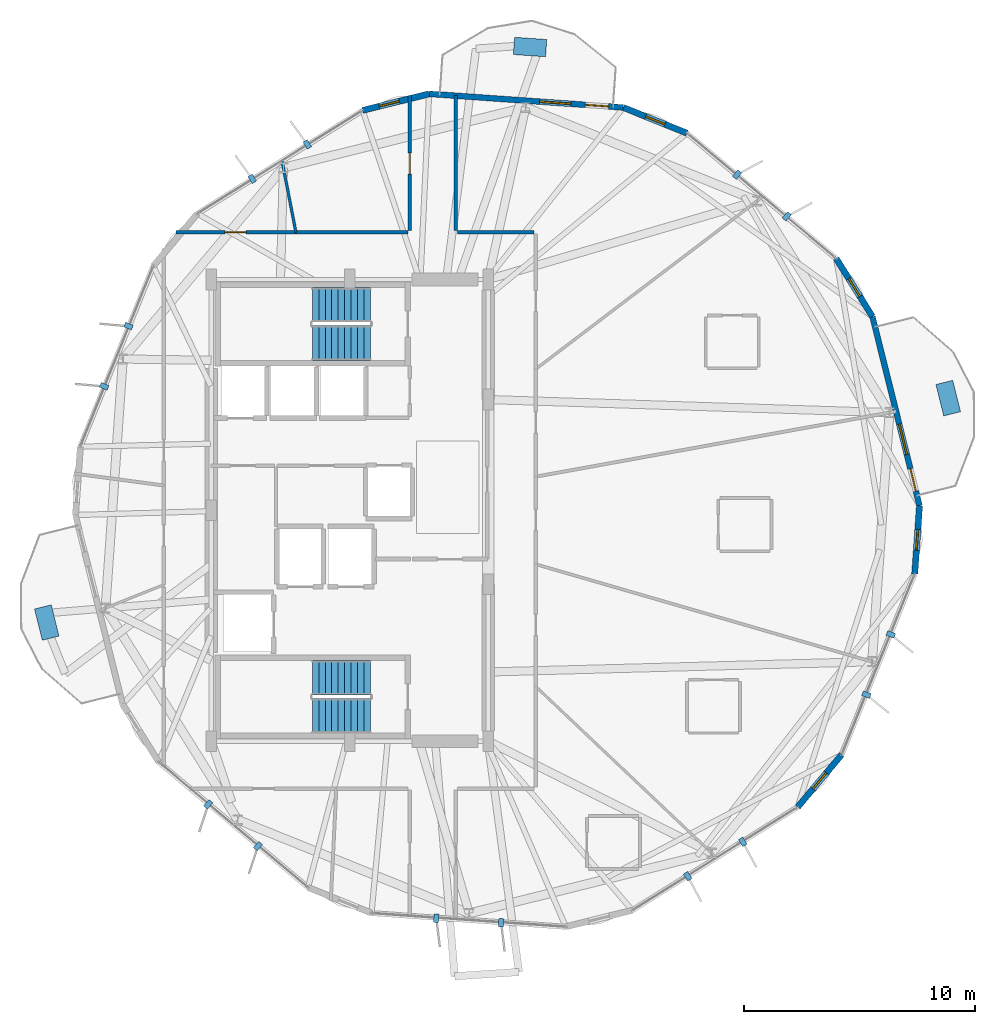
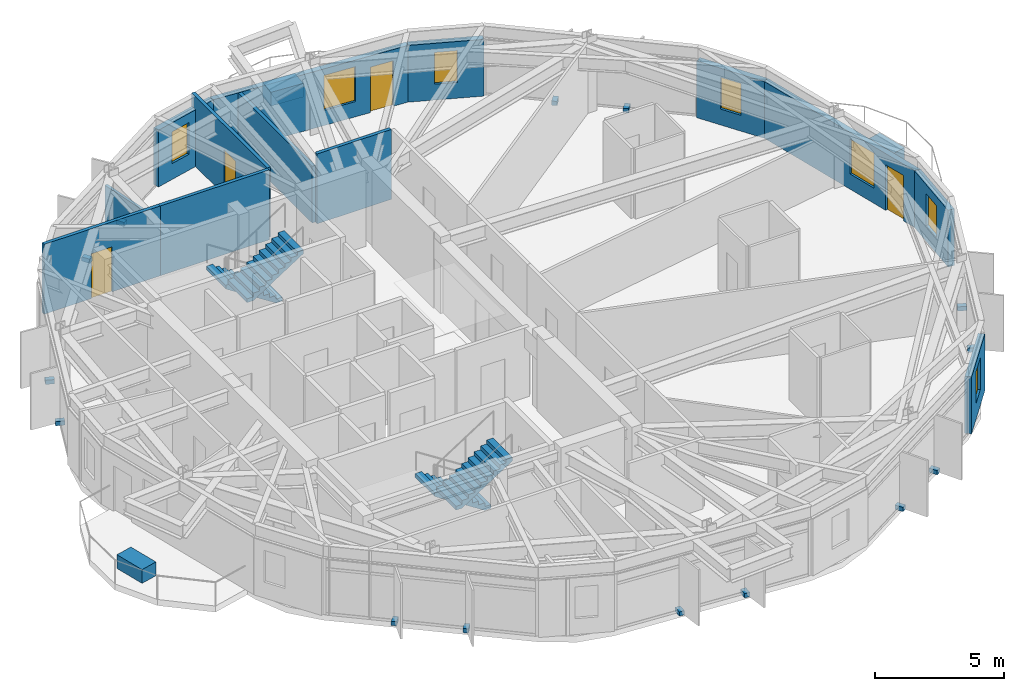
# One storey, part 18 of 22: 17 discrete accessories, 13 walls, 7 windows, 4 doors, 4 stair flights, 11 openings, 2 elements without a shape of their own.
"""IFC4 building model written with IfcOpenShell, lengths in metres."""

from ifc_helpers import new_model, si_unit, direction, frame, frame_2d, origin, origin_2d, place, context, subcontext, project, spatial, polyline, rectangle, outline, extrude, material, layer, layer_set, type_object, element, fill, aggregate, save


model = new_model("IFC4")

# Units and contexts
model_context = context("Model", 3, precision=1e-05, world=origin(), true_north=direction((0.0, 1.0)))
body_context = subcontext(model_context, "Body", "Model", "MODEL_VIEW")
ifc_project = project(units=[si_unit("LENGTHUNIT", "METRE"), si_unit("AREAUNIT", "SQUARE_METRE"), si_unit("VOLUMEUNIT", "CUBIC_METRE"), si_unit("PLANEANGLEUNIT", "RADIAN"), si_unit("MASSUNIT", "GRAM", prefix="KILO")], contexts=[model_context])

# Site, building, storey
site_placement = place(None, origin())
site = spatial("IfcSite", under=ifc_project, at=site_placement, CompositionType="ELEMENT")
building_placement = place(site_placement, origin())
building = spatial("IfcBuilding", under=site, at=building_placement, Name="Soratama Intermodal Tower", CompositionType="ELEMENT")
storey_placement = place(building_placement, frame((0.0, 0.0, 157.0)))
storey = spatial("IfcBuildingStorey", under=building, at=storey_placement, Name="L38", CompositionType="ELEMENT", Elevation=157.0)

# Wall, openings, door, window
ifc_material_1 = material(Name="Concrete f'c 42 MPa", Category="concrete")
ifc_layer_1 = layer(ifc_material_1, 0.25)
ifc_layer_set_1 = layer_set([ifc_layer_1], Name="Concrete f'c 42 MPa")
wall_type_1 = type_object("IfcWallType", Name="EW-BAL-250", PredefinedType="SOLIDWALL", material=ifc_layer_set_1)
wall_1_placement = place(storey_placement, frame((50.456787109375, 42.44873046875, 0.0), z_axis=(0.0, 0.0, 1.0), x_axis=(-0.997538958877, 0.070114374585, 0.0)))
wall_1 = element("IfcWall", 1, at=wall_1_placement, inside=storey, type_object=wall_type_1, Name="L38 Terrace Wall F02", PredefinedType="SOLIDWALL", context=body_context, shape_type="SweptSolid", body=[
    extrude(rectangle(XDim=8.4404296875, YDim=0.25, at=frame_2d((4.22021484375, 0.0))), origin(), (0.0, 0.0, 1.0), 2.678955078125),
])
opening_1_placement = place(wall_1_placement, frame((0.64990234375, 0.0, 0.0)))
opening_1 = element("IfcOpeningElement", 2, at=opening_1_placement, cuts=wall_1, Name="Opening ED-2", PredefinedType="OPENING", context=body_context, shape_type="SweptSolid", body=[
    extrude(rectangle(XDim=1.0, YDim=2.14990234375, at=frame_2d((0.5, 1.074951171875))), frame((0.0, 0.135009765625, 0.0), z_axis=(0.0, -1.0, 0.0), x_axis=(1.0, 0.0, 0.0)), (0.0, 0.0, 1.0), 0.27001953125),
])
opening_2_placement = place(wall_1_placement, frame((2.2900390625, 0.0, 0.719970703125)))
opening_2 = element("IfcOpeningElement", 3, at=opening_2_placement, cuts=wall_1, Name="Opening WN-4", PredefinedType="OPENING", context=body_context, shape_type="SweptSolid", body=[
    extrude(rectangle(XDim=1.35009765625, YDim=1.64990234375, at=frame_2d((0.675048828125, 0.824951171875))), frame((0.0, 0.135009765625, 0.0), z_axis=(0.0, -1.0, 0.0), x_axis=(1.0, 0.0, 0.0)), (0.0, 0.0, 1.0), 0.27001953125),
])
ifc_material_2 = material(Name="Double-glazed aluminium door", Category="aluminium")
door_type_1 = type_object("IfcDoorType", Name="DR-BAL-1000", OperationType="NOTDEFINED", PredefinedType="DOOR", material=ifc_material_2)
door_1_placement = place(opening_1_placement, origin())
door_1 = element("IfcDoor", 4, at=door_1_placement, inside=storey, type_object=door_type_1, Name="L38 Balcony Door F02", OperationType="SINGLE_SWING_RIGHT", OverallHeight=2.14990234375, OverallWidth=1.0, PredefinedType="DOOR", context=body_context, shape_type="SweptSolid", body=[
    extrude(rectangle(XDim=1.0, YDim=2.14990234375, at=frame_2d((0.5, 1.074951171875))), frame((0.0, 0.02490234375, 0.0), z_axis=(0.0, -1.0, 0.0), x_axis=(1.0, 0.0, 0.0)), (0.0, 0.0, 1.0), 0.050048828125),
])
fill(opening_1, door_1)
ifc_material_3 = material(Name="Double-glazed aluminium window", Category="aluminium")
window_type_1 = type_object("IfcWindowType", Name="WN-FAC-1350", PartitioningType="SINGLE_PANEL", PredefinedType="WINDOW", material=ifc_material_3)
window_1_placement = place(opening_2_placement, origin())
window_1 = element("IfcWindow", 5, at=window_1_placement, inside=storey, type_object=window_type_1, Name="L38 Window B F02", OverallHeight=1.64990234375, OverallWidth=1.35009765625, PartitioningType="SINGLE_PANEL", PredefinedType="WINDOW", context=body_context, shape_type="SweptSolid", body=[
    extrude(rectangle(XDim=1.35009765625, YDim=1.64990234375, at=frame_2d((0.675048828125, 0.824951171875))), frame((0.0, 0.030029296875, 0.0), z_axis=(0.0, -1.0, 0.0), x_axis=(1.0, 0.0, 0.0)), (0.0, 0.0, 1.0), 0.06005859375),
])
fill(opening_2, window_1)

wall_2_placement = place(storey_placement, frame((63.281005859375, 25.2021484375, 0.0), z_axis=(0.0, 0.0, 1.0), x_axis=(-0.241582680268, 0.970380239182, 0.0)))
wall_2 = element("IfcWall", 6, at=wall_2_placement, inside=storey, type_object=wall_type_1, Name="L38 Terrace Wall F10", PredefinedType="SOLIDWALL", context=body_context, shape_type="SweptSolid", body=[
    extrude(rectangle(XDim=8.4404296875, YDim=0.25, at=frame_2d((4.22021484375, 0.0))), origin(), (0.0, 0.0, 1.0), 2.678955078125),
])
opening_3_placement = place(wall_2_placement, frame((0.64990234375, 0.0, 0.0)))
opening_3 = element("IfcOpeningElement", 7, at=opening_3_placement, cuts=wall_2, Name="Opening ED-2", PredefinedType="OPENING", context=body_context, shape_type="SweptSolid", body=[
    extrude(rectangle(XDim=1.0, YDim=2.14990234375, at=frame_2d((0.5, 1.074951171875))), frame((0.0, 0.135009765625, 0.0), z_axis=(0.0, -1.0, 0.0), x_axis=(1.0, 0.0, 0.0)), (0.0, 0.0, 1.0), 0.27001953125),
])
opening_4_placement = place(wall_2_placement, frame((2.2900390625, 0.0, 0.719970703125)))
opening_4 = element("IfcOpeningElement", 8, at=opening_4_placement, cuts=wall_2, Name="Opening WN-4", PredefinedType="OPENING", context=body_context, shape_type="SweptSolid", body=[
    extrude(rectangle(XDim=1.35009765625, YDim=1.64990234375, at=frame_2d((0.675048828125, 0.824951171875))), frame((0.0, 0.135009765625, 0.0), z_axis=(0.0, -1.0, 0.0), x_axis=(1.0, 0.0, 0.0)), (0.0, 0.0, 1.0), 0.27001953125),
])
door_2_placement = place(opening_3_placement, origin())
door_2 = element("IfcDoor", 9, at=door_2_placement, inside=storey, type_object=door_type_1, Name="L38 Balcony Door F10", OperationType="SINGLE_SWING_RIGHT", OverallHeight=2.14990234375, OverallWidth=1.0, PredefinedType="DOOR", context=body_context, shape_type="SweptSolid", body=[
    extrude(rectangle(XDim=1.0, YDim=2.14990234375, at=frame_2d((0.5, 1.074951171875))), frame((0.0, 0.02490234375, 0.0), z_axis=(0.0, -1.0, 0.0), x_axis=(1.0, 0.0, 0.0)), (0.0, 0.0, 1.0), 0.050048828125),
])
fill(opening_3, door_2)
window_2_placement = place(opening_4_placement, origin())
window_2 = element("IfcWindow", 10, at=window_2_placement, inside=storey, type_object=window_type_1, Name="L38 Window B F10", OverallHeight=1.64990234375, OverallWidth=1.35009765625, PartitioningType="SINGLE_PANEL", PredefinedType="WINDOW", context=body_context, shape_type="SweptSolid", body=[
    extrude(rectangle(XDim=1.35009765625, YDim=1.64990234375, at=frame_2d((0.675048828125, 0.824951171875))), frame((0.0, 0.030029296875, 0.0), z_axis=(0.0, -1.0, 0.0), x_axis=(1.0, 0.0, 0.0)), (0.0, 0.0, 1.0), 0.06005859375),
])
fill(opening_4, window_2)

# Wall, opening, window
ifc_material_4 = material(Name="Concrete f'c 42 MPa", Category="concrete")
ifc_layer_2 = layer(ifc_material_4, 0.27001953125)
ifc_layer_set_2 = layer_set([ifc_layer_2], Name="Concrete f'c 42 MPa")
wall_type_2 = type_object("IfcWallType", Name="EW-CRN-270", PredefinedType="SOLIDWALL", material=ifc_layer_set_2)
wall_3_placement = place(storey_placement, frame((53.20703125, 41.336669921875, 0.0), z_axis=(0.0, 0.0, 1.0), x_axis=(-0.927079641451, 0.374864426703, 0.0)))
wall_3 = element("IfcWall", 11, at=wall_3_placement, inside=storey, type_object=wall_type_2, Name="L38 Corner Closure Wall 01", PredefinedType="SOLIDWALL", context=body_context, shape_type="SweptSolid", body=[
    extrude(rectangle(XDim=2.966552734375, YDim=0.27001953125, at=frame_2d((1.4833984375, 0.0))), origin(), (0.0, 0.0, 1.0), 2.678955078125),
])
opening_5_placement = place(wall_3_placement, frame((1.033203125, 0.0, 0.75)))
opening_5 = element("IfcOpeningElement", 12, at=opening_5_placement, cuts=wall_3, Name="Opening WN-6", PredefinedType="OPENING", context=body_context, shape_type="SweptSolid", body=[
    extrude(rectangle(XDim=0.89990234375, YDim=1.5, at=frame_2d((0.449951171875, 0.75))), frame((0.0, 0.14501953125, 0.0), z_axis=(0.0, -1.0, 0.0), x_axis=(1.0, 0.0, 0.0)), (0.0, 0.0, 1.0), 0.2900390625),
])
ifc_material_5 = material(Name="Double-glazed aluminium window", Category="aluminium")
window_type_2 = type_object("IfcWindowType", Name="WN-FAC-900", PartitioningType="SINGLE_PANEL", PredefinedType="WINDOW", material=ifc_material_5)
window_3_placement = place(opening_5_placement, origin())
window_3 = element("IfcWindow", 13, at=window_3_placement, inside=storey, type_object=window_type_2, Name="L38 Corner Window 01", OverallHeight=1.5, OverallWidth=0.89990234375, PartitioningType="SINGLE_PANEL", PredefinedType="WINDOW", context=body_context, shape_type="SweptSolid", body=[
    extrude(rectangle(XDim=0.89990234375, YDim=1.5, at=frame_2d((0.449951171875, 0.75))), frame((0.0, 0.030029296875, 0.0), z_axis=(0.0, -1.0, 0.0), x_axis=(1.0, 0.0, 0.0)), (0.0, 0.0, 1.0), 0.06005859375),
])
fill(opening_5, window_3)

wall_4_placement = place(storey_placement, frame((42.037109375, 43.04052734375, 0.0), z_axis=(0.0, 0.0, 1.0), x_axis=(-0.970388894823, -0.241547909957, 0.0)))
wall_4 = element("IfcWall", 14, at=wall_4_placement, inside=storey, type_object=wall_type_2, Name="L38 Corner Closure Wall 02", PredefinedType="SOLIDWALL", context=body_context, shape_type="SweptSolid", body=[
    extrude(rectangle(XDim=2.966552734375, YDim=0.27001953125, at=frame_2d((1.4833984375, 0.0))), origin(), (0.0, 0.0, 1.0), 2.678955078125),
])
opening_6_placement = place(wall_4_placement, frame((1.324951171875, 0.0, 0.75)))
opening_6 = element("IfcOpeningElement", 15, at=opening_6_placement, cuts=wall_4, Name="Opening WN-6", PredefinedType="OPENING", context=body_context, shape_type="SweptSolid", body=[
    extrude(rectangle(XDim=0.89990234375, YDim=1.5, at=frame_2d((0.449951171875, 0.75))), frame((0.0, 0.14501953125, 0.0), z_axis=(0.0, -1.0, 0.0), x_axis=(1.0, 0.0, 0.0)), (0.0, 0.0, 1.0), 0.2900390625),
])
window_4_placement = place(opening_6_placement, origin())
window_4 = element("IfcWindow", 16, at=window_4_placement, inside=storey, type_object=window_type_2, Name="L38 Corner Window 02", OverallHeight=1.5, OverallWidth=0.89990234375, PartitioningType="SINGLE_PANEL", PredefinedType="WINDOW", context=body_context, shape_type="SweptSolid", body=[
    extrude(rectangle(XDim=0.89990234375, YDim=1.5, at=frame_2d((0.449951171875, 0.75))), frame((0.0, 0.030029296875, 0.0), z_axis=(0.0, -1.0, 0.0), x_axis=(1.0, 0.0, 0.0)), (0.0, 0.0, 1.0), 0.06005859375),
])
fill(opening_6, window_4)

wall_5_placement = place(storey_placement, frame((58.0009765625, 12.146484375, 0.0), z_axis=(0.0, 0.0, 1.0), x_axis=(0.643085925087, 0.765794027762, 0.0)))
wall_5 = element("IfcWall", 17, at=wall_5_placement, inside=storey, type_object=wall_type_2, Name="L38 Corner Closure Wall 08", PredefinedType="SOLIDWALL", context=body_context, shape_type="SweptSolid", body=[
    extrude(rectangle(XDim=2.966552734375, YDim=0.27001953125, at=frame_2d((1.4833984375, 0.0))), origin(), (0.0, 0.0, 1.0), 2.678955078125),
])
opening_7_placement = place(wall_5_placement, frame((1.033203125, 0.0, 0.75)))
opening_7 = element("IfcOpeningElement", 18, at=opening_7_placement, cuts=wall_5, Name="Opening WN-6", PredefinedType="OPENING", context=body_context, shape_type="SweptSolid", body=[
    extrude(rectangle(XDim=0.89990234375, YDim=1.5, at=frame_2d((0.449951171875, 0.75))), frame((0.0, 0.14501953125, 0.0), z_axis=(0.0, -1.0, 0.0), x_axis=(1.0, 0.0, 0.0)), (0.0, 0.0, 1.0), 0.2900390625),
])
window_5_placement = place(opening_7_placement, origin())
window_5 = element("IfcWindow", 19, at=window_5_placement, inside=storey, type_object=window_type_2, Name="L38 Corner Window 08", OverallHeight=1.5, OverallWidth=0.89990234375, PartitioningType="SINGLE_PANEL", PredefinedType="WINDOW", context=body_context, shape_type="SweptSolid", body=[
    extrude(rectangle(XDim=0.89990234375, YDim=1.5, at=frame_2d((0.449951171875, 0.75))), frame((0.0, 0.030029296875, 0.0), z_axis=(0.0, -1.0, 0.0), x_axis=(1.0, 0.0, 0.0)), (0.0, 0.0, 1.0), 0.06005859375),
])
fill(opening_7, window_5)

wall_6_placement = place(storey_placement, frame((63.072998046875, 22.242919921875, 0.0), z_axis=(0.0, 0.0, 1.0), x_axis=(0.070118221482, 0.997538688481, 0.0)))
wall_6 = element("IfcWall", 20, at=wall_6_placement, inside=storey, type_object=wall_type_2, Name="L38 Corner Closure Wall 09", PredefinedType="SOLIDWALL", context=body_context, shape_type="SweptSolid", body=[
    extrude(rectangle(XDim=2.966552734375, YDim=0.27001953125, at=frame_2d((1.4833984375, 0.0))), origin(), (0.0, 0.0, 1.0), 2.678955078125),
])
opening_8_placement = place(wall_6_placement, frame((1.033203125, 0.0, 0.75)))
opening_8 = element("IfcOpeningElement", 21, at=opening_8_placement, cuts=wall_6, Name="Opening WN-6", PredefinedType="OPENING", context=body_context, shape_type="SweptSolid", body=[
    extrude(rectangle(XDim=0.89990234375, YDim=1.5, at=frame_2d((0.449951171875, 0.75))), frame((0.0, 0.14501953125, 0.0), z_axis=(0.0, -1.0, 0.0), x_axis=(1.0, 0.0, 0.0)), (0.0, 0.0, 1.0), 0.2900390625),
])
window_6_placement = place(opening_8_placement, origin())
window_6 = element("IfcWindow", 22, at=window_6_placement, inside=storey, type_object=window_type_2, Name="L38 Corner Window 09", OverallHeight=1.5, OverallWidth=0.89990234375, PartitioningType="SINGLE_PANEL", PredefinedType="WINDOW", context=body_context, shape_type="SweptSolid", body=[
    extrude(rectangle(XDim=0.89990234375, YDim=1.5, at=frame_2d((0.449951171875, 0.75))), frame((0.0, 0.030029296875, 0.0), z_axis=(0.0, -1.0, 0.0), x_axis=(1.0, 0.0, 0.0)), (0.0, 0.0, 1.0), 0.06005859375),
])
fill(opening_8, window_6)

wall_7_placement = place(storey_placement, frame((61.241943359375, 33.392578125, 0.0), z_axis=(0.0, 0.0, 1.0), x_axis=(-0.529592009117, 0.848252500073, 0.0)))
wall_7 = element("IfcWall", 23, at=wall_7_placement, inside=storey, type_object=wall_type_2, Name="L38 Corner Closure Wall 10", PredefinedType="SOLIDWALL", context=body_context, shape_type="SweptSolid", body=[
    extrude(rectangle(XDim=2.966552734375, YDim=0.27001953125, at=frame_2d((1.4833984375, 0.0))), origin(), (0.0, 0.0, 1.0), 2.678955078125),
])
opening_9_placement = place(wall_7_placement, frame((1.033203125, 0.0, 0.75)))
opening_9 = element("IfcOpeningElement", 24, at=opening_9_placement, cuts=wall_7, Name="Opening WN-6", PredefinedType="OPENING", context=body_context, shape_type="SweptSolid", body=[
    extrude(rectangle(XDim=0.89990234375, YDim=1.5, at=frame_2d((0.449951171875, 0.75))), frame((0.0, 0.14501953125, 0.0), z_axis=(0.0, -1.0, 0.0), x_axis=(1.0, 0.0, 0.0)), (0.0, 0.0, 1.0), 0.2900390625),
])
window_7_placement = place(opening_9_placement, origin())
window_7 = element("IfcWindow", 25, at=window_7_placement, inside=storey, type_object=window_type_2, Name="L38 Corner Window 10", OverallHeight=1.5, OverallWidth=0.89990234375, PartitioningType="SINGLE_PANEL", PredefinedType="WINDOW", context=body_context, shape_type="SweptSolid", body=[
    extrude(rectangle(XDim=0.89990234375, YDim=1.5, at=frame_2d((0.449951171875, 0.75))), frame((0.0, 0.030029296875, 0.0), z_axis=(0.0, -1.0, 0.0), x_axis=(1.0, 0.0, 0.0)), (0.0, 0.0, 1.0), 0.06005859375),
])
fill(opening_9, window_7)

# Wall, opening, door
ifc_material_6 = material(Name="Fire-rated gypsum stud partition", Category="concrete")
ifc_layer_3 = layer(ifc_material_6, 0.14990234375)
ifc_layer_set_3 = layer_set([ifc_layer_3], Name="Fire-rated gypsum stud partition")
wall_type_3 = type_object("IfcWallType", Name="IW-PART-R150", PredefinedType="PARTITIONING", material=ifc_layer_set_3)
wall_8_placement = place(storey_placement, frame((41.199951171875, 37.1201171875, 0.0), z_axis=(0.0, 0.0, 1.0), x_axis=(0.0, 1.0, 0.0)))
wall_8 = element("IfcWall", 26, at=wall_8_placement, inside=storey, type_object=wall_type_3, Name="L38 Partition W-L38-TP010", PredefinedType="PARTITIONING", context=body_context, shape_type="SweptSolid", body=[
    extrude(rectangle(XDim=5.847900390625, YDim=0.14990234375, at=frame_2d((2.923828125, 0.0))), origin(), (0.0, 0.0, 1.0), 3.300048828125),
])
opening_10_placement = place(wall_8_placement, frame((2.448974609375, 0.0, 0.0)))
opening_10 = element("IfcOpeningElement", 27, at=opening_10_placement, cuts=wall_8, Name="Opening ID-6", PredefinedType="OPENING", context=body_context, shape_type="SweptSolid", body=[
    extrude(rectangle(XDim=0.919921875, YDim=2.1201171875, at=frame_2d((0.4599609375, 1.06005859375))), frame((0.0, 0.0849609375, 0.0), z_axis=(0.0, -1.0, 0.0), x_axis=(1.0, 0.0, 0.0)), (0.0, 0.0, 1.0), 0.169921875),
])
ifc_material_7 = material(Name="Solid hardwood acoustic door", Category="wood")
door_type_2 = type_object("IfcDoorType", Name="DR-ROOM-920", OperationType="NOTDEFINED", PredefinedType="DOOR", material=ifc_material_7)
door_3_placement = place(opening_10_placement, origin())
door_3 = element("IfcDoor", 28, at=door_3_placement, inside=storey, type_object=door_type_2, Name="L38 Door D-L38-TP006", OperationType="SINGLE_SWING_LEFT", OverallHeight=2.1201171875, OverallWidth=0.919921875, PredefinedType="DOOR", context=body_context, shape_type="SweptSolid", body=[
    extrude(rectangle(XDim=0.919921875, YDim=2.1201171875, at=frame_2d((0.4599609375, 1.06005859375))), frame((0.0, 0.02490234375, 0.0), z_axis=(0.0, -1.0, 0.0), x_axis=(1.0, 0.0, 0.0)), (0.0, 0.0, 1.0), 0.050048828125),
])
fill(opening_10, door_3)

# Wall
wall_9_placement = place(storey_placement, frame((43.199951171875, 42.958984375, 0.0), z_axis=(0.0, 0.0, 1.0), x_axis=(0.0, -1.0, 0.0)))
element("IfcWall", 29, at=wall_9_placement, inside=storey, type_object=wall_type_3, Name="L38 Partition W-L38-TP011", PredefinedType="PARTITIONING", context=body_context, shape_type="SweptSolid", body=[
    extrude(rectangle(XDim=5.8388671875, YDim=0.14990234375, at=frame_2d((2.91943359375, 0.0))), origin(), (0.0, 0.0, 1.0), 2.674072265625),
])

# Wall, opening, door
wall_10_placement = place(storey_placement, frame((31.073974609375, 37.050048828125, 0.0), z_axis=(0.0, 0.0, 1.0), x_axis=(1.0, 0.0, 0.0)))
wall_10 = element("IfcWall", 30, at=wall_10_placement, inside=storey, type_object=wall_type_3, Name="L38 Partition W-L38-TP015", PredefinedType="PARTITIONING", context=body_context, shape_type="SweptSolid", body=[
    extrude(rectangle(XDim=5.193115234375, YDim=0.14990234375, at=frame_2d((2.5966796875, 0.0))), origin(), (0.0, 0.0, 1.0), 3.300048828125),
])
opening_11_placement = place(wall_10_placement, frame((2.1220703125, 0.0, 0.0)))
opening_11 = element("IfcOpeningElement", 31, at=opening_11_placement, cuts=wall_10, Name="Opening ID-6", PredefinedType="OPENING", context=body_context, shape_type="SweptSolid", body=[
    extrude(rectangle(XDim=0.919921875, YDim=2.1201171875, at=frame_2d((0.4599609375, 1.06005859375))), frame((0.0, 0.0849609375, 0.0), z_axis=(0.0, -1.0, 0.0), x_axis=(1.0, 0.0, 0.0)), (0.0, 0.0, 1.0), 0.169921875),
])
door_4_placement = place(opening_11_placement, origin())
door_4 = element("IfcDoor", 32, at=door_4_placement, inside=storey, type_object=door_type_2, Name="L38 Door D-L38-TP010", OperationType="SINGLE_SWING_LEFT", OverallHeight=2.1201171875, OverallWidth=0.919921875, PredefinedType="DOOR", context=body_context, shape_type="SweptSolid", body=[
    extrude(rectangle(XDim=0.919921875, YDim=2.1201171875, at=frame_2d((0.4599609375, 1.06005859375))), frame((0.0, 0.02490234375, 0.0), z_axis=(0.0, -1.0, 0.0), x_axis=(1.0, 0.0, 0.0)), (0.0, 0.0, 1.0), 0.050048828125),
])
fill(opening_11, door_4)

# Walls
wall_11_placement = place(storey_placement, frame((36.26708984375, 37.050048828125, 0.0), z_axis=(0.0, 0.0, 1.0), x_axis=(1.0, 0.0, 0.0)))
element("IfcWall", 33, at=wall_11_placement, inside=storey, type_object=wall_type_3, Name="L38 Partition W-L38-TP017", PredefinedType="PARTITIONING", context=body_context, shape_type="SweptSolid", body=[
    extrude(rectangle(XDim=4.86279296875, YDim=0.14990234375, at=frame_2d((2.431396484375, 0.0))), origin(), (0.0, 0.0, 1.0), 3.300048828125),
])
wall_12_placement = place(storey_placement, frame((43.27001953125, 37.050048828125, 0.0), z_axis=(0.0, 0.0, 1.0), x_axis=(1.0, 0.0, 0.0)))
element("IfcWall", 34, at=wall_12_placement, inside=storey, type_object=wall_type_3, Name="L38 Partition W-L38-TP024", PredefinedType="PARTITIONING", context=body_context, shape_type="SweptSolid", body=[
    extrude(rectangle(XDim=3.31005859375, YDim=0.14990234375, at=frame_2d((1.655029296875, 0.0))), origin(), (0.0, 0.0, 1.0), 3.300048828125),
])
ifc_material_8 = material(Name="Fire-rated gypsum stud partition", Category="concrete")
ifc_layer_4 = layer(ifc_material_8, 0.1201171875)
ifc_layer_set_4 = layer_set([ifc_layer_4], Name="Fire-rated gypsum stud partition")
wall_type_4 = type_object("IfcWallType", Name="IW-PART-S120", PredefinedType="PARTITIONING", material=ifc_layer_set_4)
wall_13_placement = place(storey_placement, frame((36.26708984375, 37.050048828125, 0.0), z_axis=(0.0, 0.0, 1.0), x_axis=(-0.190108621236, 0.981763063133, 0.0)))
element("IfcWall", 35, at=wall_13_placement, inside=storey, type_object=wall_type_4, Name="L38 Partition W-L38-TP027", PredefinedType="PARTITIONING", context=body_context, shape_type="SweptSolid", body=[
    extrude(rectangle(XDim=3.1513671875, YDim=0.1201171875, at=frame_2d((1.57568359375, 0.0))), origin(), (0.0, 0.0, 1.0), 2.594970703125),
])

# Stair, stair flights
ifc_material_9 = material(Name="Concrete f'c 42 MPa", Category="concrete")
stair_type = type_object("IfcStairType", Name="ST-CORE-DOGLEG", PredefinedType="HALF_TURN_STAIR", material=ifc_material_9)
stair_1_placement = place(storey_placement, origin())
stair_1 = element("IfcStair", 36, at=stair_1_placement, inside=storey, type_object=stair_type, Name="L38 ST-1", PredefinedType="HALF_TURN_STAIR")
ifc_material_10 = material(Name="Precast concrete f'c 40 MPa", Category="concrete")
ifc_layer_5 = layer(ifc_material_10, 0.199951171875)
ifc_layer_set_5 = layer_set([ifc_layer_5], Name="Precast concrete f'c 40 MPa")
stair_flight_type = type_object("IfcStairFlightType", Name="SF-FLIGHT-RC", PredefinedType="STRAIGHT", material=ifc_layer_set_5)
stair_flight_1_placement = place(storey_placement, frame((39.5, 17.75, 0.0), z_axis=(0.0, 0.0, 1.0), x_axis=(-1.0, 0.0, 0.0)))
stair_flight_1 = element("IfcStairFlight", 37, at=stair_flight_1_placement, type_object=stair_flight_type, Name="ST-1 flight 1", NumberOfRisers=10, NumberOfTreads=9, PredefinedType="STRAIGHT", RiserHeight=0.18, TreadLength=0.28, context=body_context, shape_type="SweptSolid", body=[
    extrude(outline(polyline([(0.0, 0.0), (0.0, 0.179931640625), (0.280029296875, 0.179931640625), (0.280029296875, 0.360107421875), (0.56005859375, 0.360107421875), (0.56005859375, 0.5400390625), (0.840087890625, 0.5400390625), (0.840087890625, 0.719970703125), (1.1201171875, 0.719970703125), (1.1201171875, 0.89990234375), (1.39990234375, 0.89990234375), (1.39990234375, 1.080078125), (1.679931640625, 1.080078125), (1.679931640625, 1.260009765625), (1.9599609375, 1.260009765625), (1.9599609375, 1.43994140625), (2.239990234375, 1.43994140625), (2.239990234375, 1.6201171875), (2.52001953125, 1.6201171875), (2.52001953125, 1.800048828125), (2.52001953125, 1.44189453125), (0.277099609375, 0.0), (0.0, 0.0)])), frame((0.0, 0.75, 0.0), z_axis=(0.0, -1.0, 0.0), x_axis=(1.0, 0.0, 0.0)), (0.0, 0.0, 1.0), 1.5),
])
stair_flight_2_placement = place(storey_placement, frame((36.97998046875, 16.10009765625, 1.800048828125), z_axis=(0.0, 0.0, 1.0), x_axis=(1.0, 0.0, 0.0)))
stair_flight_2 = element("IfcStairFlight", 38, at=stair_flight_2_placement, type_object=stair_flight_type, Name="ST-1 flight 2", NumberOfRisers=10, NumberOfTreads=9, PredefinedType="STRAIGHT", RiserHeight=0.18, TreadLength=0.28, context=body_context, shape_type="SweptSolid", body=[
    extrude(outline(polyline([(0.0, 0.0), (0.0, 0.179931640625), (0.280029296875, 0.179931640625), (0.280029296875, 0.360107421875), (0.56005859375, 0.360107421875), (0.56005859375, 0.5400390625), (0.840087890625, 0.5400390625), (0.840087890625, 0.719970703125), (1.1201171875, 0.719970703125), (1.1201171875, 0.89990234375), (1.39990234375, 0.89990234375), (1.39990234375, 1.080078125), (1.679931640625, 1.080078125), (1.679931640625, 1.260009765625), (1.9599609375, 1.260009765625), (1.9599609375, 1.43994140625), (2.239990234375, 1.43994140625), (2.239990234375, 1.6201171875), (2.52001953125, 1.6201171875), (2.52001953125, 1.800048828125), (2.52001953125, 1.44189453125), (0.277099609375, 0.0), (0.0, 0.0)])), frame((0.0, 0.75, 0.0), z_axis=(0.0, -1.0, 0.0), x_axis=(1.0, 0.0, 0.0)), (0.0, 0.0, 1.0), 1.5),
])
aggregate(stair_1, [stair_flight_1, stair_flight_2])

stair_2_placement = place(storey_placement, origin())
stair_2 = element("IfcStair", 39, at=stair_2_placement, inside=storey, type_object=stair_type, Name="L38 ST-2", PredefinedType="HALF_TURN_STAIR")
stair_flight_3_placement = place(storey_placement, frame((39.5, 33.89990234375, 0.0), z_axis=(0.0, 0.0, 1.0), x_axis=(-1.0, 0.0, 0.0)))
stair_flight_3 = element("IfcStairFlight", 40, at=stair_flight_3_placement, type_object=stair_flight_type, Name="ST-2 flight 1", NumberOfRisers=10, NumberOfTreads=9, PredefinedType="STRAIGHT", RiserHeight=0.18, TreadLength=0.28, context=body_context, shape_type="SweptSolid", body=[
    extrude(outline(polyline([(0.0, 0.0), (0.0, 0.179931640625), (0.280029296875, 0.179931640625), (0.280029296875, 0.360107421875), (0.56005859375, 0.360107421875), (0.56005859375, 0.5400390625), (0.840087890625, 0.5400390625), (0.840087890625, 0.719970703125), (1.1201171875, 0.719970703125), (1.1201171875, 0.89990234375), (1.39990234375, 0.89990234375), (1.39990234375, 1.080078125), (1.679931640625, 1.080078125), (1.679931640625, 1.260009765625), (1.9599609375, 1.260009765625), (1.9599609375, 1.43994140625), (2.239990234375, 1.43994140625), (2.239990234375, 1.6201171875), (2.52001953125, 1.6201171875), (2.52001953125, 1.800048828125), (2.52001953125, 1.44189453125), (0.277099609375, 0.0), (0.0, 0.0)])), frame((0.0, 0.75, 0.0), z_axis=(0.0, -1.0, 0.0), x_axis=(1.0, 0.0, 0.0)), (0.0, 0.0, 1.0), 1.5),
])
stair_flight_4_placement = place(storey_placement, frame((36.97998046875, 32.25, 1.800048828125), z_axis=(0.0, 0.0, 1.0), x_axis=(1.0, 0.0, 0.0)))
stair_flight_4 = element("IfcStairFlight", 41, at=stair_flight_4_placement, type_object=stair_flight_type, Name="ST-2 flight 2", NumberOfRisers=10, NumberOfTreads=9, PredefinedType="STRAIGHT", RiserHeight=0.18, TreadLength=0.28, context=body_context, shape_type="SweptSolid", body=[
    extrude(outline(polyline([(0.0, 0.0), (0.0, 0.179931640625), (0.280029296875, 0.179931640625), (0.280029296875, 0.360107421875), (0.56005859375, 0.360107421875), (0.56005859375, 0.5400390625), (0.840087890625, 0.5400390625), (0.840087890625, 0.719970703125), (1.1201171875, 0.719970703125), (1.1201171875, 0.89990234375), (1.39990234375, 0.89990234375), (1.39990234375, 1.080078125), (1.679931640625, 1.080078125), (1.679931640625, 1.260009765625), (1.9599609375, 1.260009765625), (1.9599609375, 1.43994140625), (2.239990234375, 1.43994140625), (2.239990234375, 1.6201171875), (2.52001953125, 1.6201171875), (2.52001953125, 1.800048828125), (2.52001953125, 1.44189453125), (0.277099609375, 0.0), (0.0, 0.0)])), frame((0.0, 0.75, 0.0), z_axis=(0.0, -1.0, 0.0), x_axis=(1.0, 0.0, 0.0)), (0.0, 0.0, 1.0), 1.5),
])
aggregate(stair_2, [stair_flight_3, stair_flight_4])

# Discrete accessories
ifc_material_11 = material(Name="Structural steel ASTM A992 Grade 50", Category="steel")
discrete_accessory_type_1 = type_object("IfcDiscreteAccessoryType", Name="AC-FIN-BRACKET", PredefinedType="BRACKET", material=ifc_material_11)
for number, where, z_axis, x_axis, name in (
    (42, (57.529052734375, 37.7333984375, -0.080078125), (0.0, 0.0, 1.0), (0.643054970475, 0.76582002125, 0.0), "L38 Fin Bracket F01-1"),
    (43, (55.37451171875, 39.542724609375, -0.080078125), (0.0, 0.0, 1.0), (0.643054970475, 0.76582002125, 0.0), "L38 Fin Bracket F01-2"),
    (44, (36.761474609375, 40.850830078125, -0.080078125), (0.0, 0.0, 1.0), (-0.529623207325, 0.848233021205, 0.0), "L38 Fin Bracket F03-1"),
    (45, (34.375, 39.360595703125, -0.080078125), (0.0, 0.0, 1.0), (-0.529623207325, 0.848233021205, 0.0), "L38 Fin Bracket F03-2"),
    (46, (29.01806640625, 32.981201171875, -0.080078125), (0.0, 0.0, 1.0), (-0.927053035713, 0.374930218808, 0.0), "L38 Fin Bracket F04-1"),
    (47, (27.963134765625, 30.372802734375, -0.080078125), (0.0, 0.0, 1.0), (-0.927053035713, 0.374930218808, 0.0), "L38 Fin Bracket F04-2"),
    (48, (32.470947265625, 12.2666015625, -0.080078125), (0.0, 0.0, 1.0), (-0.643054970475, -0.76582002125, 0.0), "L38 Fin Bracket F06-1"),
    (49, (34.62548828125, 10.457275390625, -0.080078125), (0.0, 0.0, 1.0), (-0.643054970475, -0.76582002125, 0.0), "L38 Fin Bracket F06-2"),
    (50, (42.348388671875, 7.333984375, -0.080078125), (0.0, 0.0, 1.0), (-0.070104685031, -0.997539639882, 0.0), "L38 Fin Bracket F07-1"),
    (51, (45.15478515625, 7.13671875, -0.080078125), (0.0, 0.0, 1.0), (-0.070104685031, -0.997539639882, 0.0), "L38 Fin Bracket F07-2"),
    (52, (53.238525390625, 9.149169921875, -0.080078125), (0.0, 0.0, 1.0), (0.529623207325, -0.848233021205, 0.0), "L38 Fin Bracket F08-1"),
    (53, (55.625, 10.639404296875, -0.080078125), (0.0, 0.0, 1.0), (0.529623207325, -0.848233021205, 0.0), "L38 Fin Bracket F08-2"),
    (54, (60.98193359375, 17.018798828125, -0.080078125), (0.0, 0.0, 1.0), (0.927053035713, -0.374930218808, 0.0), "L38 Fin Bracket F09-1"),
    (55, (62.036865234375, 19.627197265625, -0.080078125), (0.0, 0.0, 1.0), (0.927053035713, -0.374930218808, 0.0), "L38 Fin Bracket F09-2"),
):
    element("IfcDiscreteAccessory", number, at=place(storey_placement, frame(where, z_axis=z_axis, x_axis=x_axis)), inside=storey, type_object=discrete_accessory_type_1, Name=name, PredefinedType="BRACKET", context=body_context, shape_type="SweptSolid", body=[
        extrude(rectangle(XDim=0.360107421875, YDim=0.219970703125, at=origin_2d()), origin(), (0.0, 0.0, 1.0), 0.199951171875),
    ])
ifc_material_12 = material(Name="Precast concrete f'c 40 MPa", Category="concrete")
discrete_accessory_type_2 = type_object("IfcDiscreteAccessoryType", Name="AC-PLANTER-TREE", PredefinedType="USERDEFINED", material=ifc_material_12)
for number, where, z_axis, x_axis, name in (
    (56, (64.5224609375, 29.8603515625, 0.0), (0.0, 0.0, 1.0), (0.970380113833, 0.241583183765, 0.0), "L38 Tree Planter 1"),
    (57, (46.410400390625, 45.069091796875, 0.0), (0.0, 0.0, 1.0), (0.070104685031, 0.997539639882, 0.0), "L38 Tree Planter 2"),
    (58, (25.4775390625, 20.1396484375, 0.0), (0.0, 0.0, 1.0), (-0.970380113833, -0.241583183765, 0.0), "L38 Tree Planter 3"),
):
    element("IfcDiscreteAccessory", number, at=place(storey_placement, frame(where, z_axis=z_axis, x_axis=x_axis)), inside=storey, type_object=discrete_accessory_type_2, Name=name, ObjectType="PLANTER", PredefinedType="USERDEFINED", context=body_context, shape_type="SweptSolid", body=[
        extrude(rectangle(XDim=0.75, YDim=1.39990234375, at=origin_2d()), origin(), (0.0, 0.0, 1.0), 0.64990234375),
    ])

save(model, "model.ifc")
